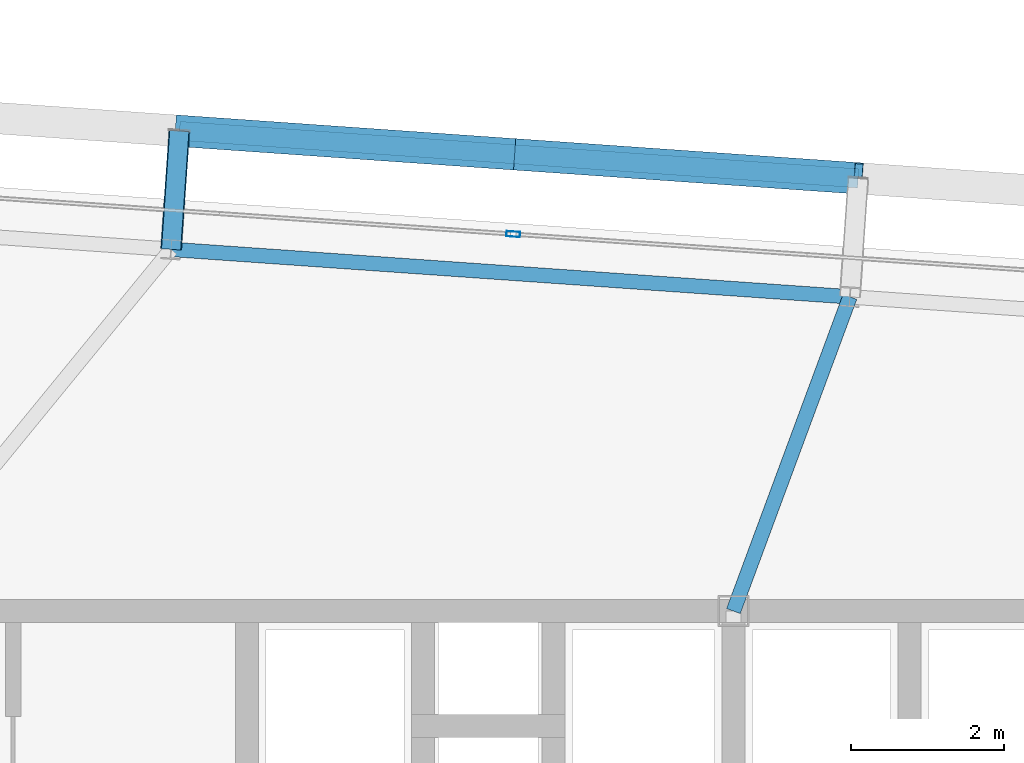
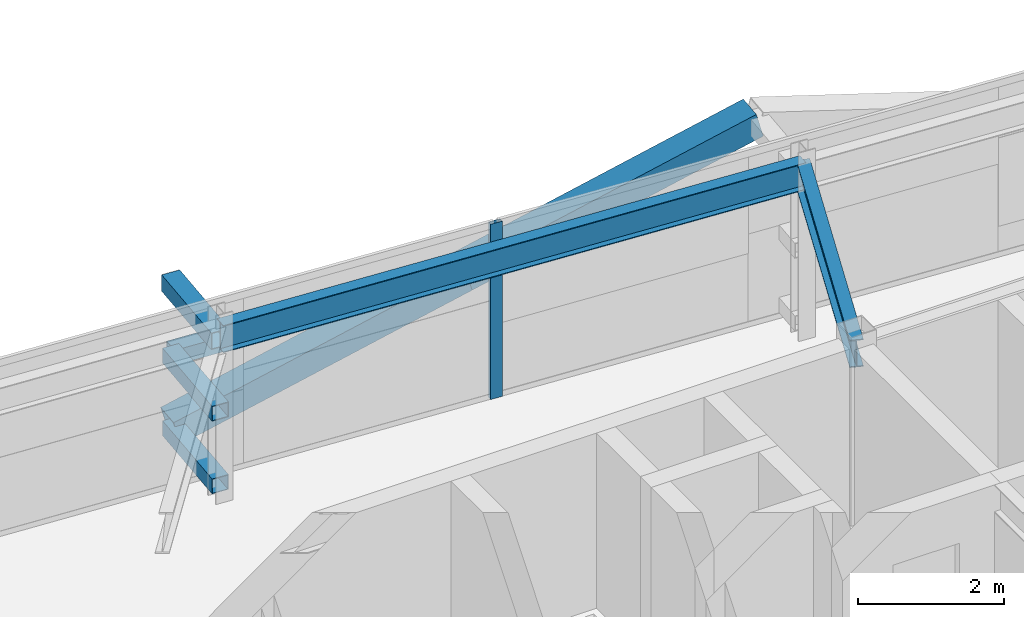
# One storey, part 22 of 39: 7 members, 2 beams, 1 element without a shape of its own.
"""IFC4 building model written with IfcOpenShell, lengths in metres."""

from ifc_helpers import new_model, si_unit, direction, frame, origin, origin_2d, place, context, subcontext, project, spatial, hollow_rectangle, i_section, extrude, source, transform, mapped, material, layer, layer_set, material_profile, profile_set, type_object, element, aggregate, save


model = new_model("IFC4")

# Units and contexts
model_context = context("Model", 3, precision=1e-05, world=origin(), true_north=direction((0.0, 1.0)))
body_context = subcontext(model_context, "Body", "Model", "MODEL_VIEW")
ifc_project = project(units=[si_unit("LENGTHUNIT", "METRE"), si_unit("AREAUNIT", "SQUARE_METRE"), si_unit("VOLUMEUNIT", "CUBIC_METRE"), si_unit("PLANEANGLEUNIT", "RADIAN"), si_unit("MASSUNIT", "GRAM", prefix="KILO")], contexts=[model_context])

# Site, building, storey
site_placement = place(None, origin())
site = spatial("IfcSite", under=ifc_project, at=site_placement, CompositionType="ELEMENT")
building_placement = place(site_placement, origin())
building = spatial("IfcBuilding", under=site, at=building_placement, Name="Taldren Reach Tower", CompositionType="ELEMENT")
storey_placement = place(building_placement, frame((0.0, 0.0, 158.199951171875)))
storey = spatial("IfcBuildingStorey", under=building, at=storey_placement, Name="L48", CompositionType="ELEMENT", Elevation=158.199951171875)

# Members
ifc_material_1 = material(Name="Steel Gr 450 (C450L0)", Category="steel")
ifc_material_profile_1 = material_profile(ifc_material_1, hollow_rectangle(XDim=0.27490234375, YDim=0.27490234375, WallThickness=0.00927734375, at=origin_2d()), Name="275x275x9.3SHS")
ifc_profile_set_1 = profile_set([ifc_material_profile_1], Name="Steel Gr 450 (C450L0)")
member_type_1 = type_object("IfcMemberType", Name="MB-TIE273", PredefinedType="STRUT", material=ifc_profile_set_1)
shared_shape_1 = source(origin(), body_context, "Body", "SweptSolid", [
    extrude(hollow_rectangle(XDim=0.27490234375, YDim=0.27490234375, WallThickness=0.00927734375, at=origin_2d()), origin(), (0.0, 0.0, 1.0), 1.5498046875),
])
member_1_placement = place(storey_placement, frame((31.861328125, 36.719970703125, 2.650146484375), z_axis=(0.069780535098, 0.997562367434, 0.0), x_axis=(-0.997562367434, 0.069780535098, 0.0)))
element("IfcMember", 1, at=member_1_placement, inside=storey, type_object=member_type_1, Name="Exoskeleton diaphragm tie strut B3-N3 L48", PredefinedType="STRUT", context=body_context, shape_type="MappedRepresentation", body=[
    mapped(shared_shape_1, transform((0.0, 0.0, 0.0), scale=1.0)),
])
ifc_material_2 = material(Name="Steel Gr 350 (C350L0)", Category="steel")
ifc_material_profile_2 = material_profile(ifc_material_2, hollow_rectangle(XDim=0.25, YDim=0.25, WallThickness=0.010009765625, at=origin_2d()), Name="250x250x10.0SHS")
ifc_profile_set_2 = profile_set([ifc_material_profile_2], Name="Steel Gr 350 (C350L0)")
member_type_2 = type_object("IfcMemberType", Name="MB-POST250", PredefinedType="POST", material=ifc_profile_set_2)
shared_shape_2 = source(origin(), body_context, "Body", "SweptSolid", [
    extrude(hollow_rectangle(XDim=0.25, YDim=0.25, WallThickness=0.010009765625, at=origin_2d()), origin(), (0.0, 0.0, 1.0), 1.5498046875),
])
for number, where, z_axis, x_axis, name in (
    (2, (31.861328125, 36.719970703125, 0.219970703125), (0.069780535098, 0.997562367434, 0.0), (-0.997562367434, 0.069780535098, 0.0), "Exoskeleton base diaphragm tie strut B3-N3 L48"),
    (3, (31.861328125, 36.719970703125, 1.43505859375), (0.069780535098, 0.997562367434, 0.0), (-0.997562367434, 0.069780535098, 0.0), "Exoskeleton mid-tier diaphragm tie B3-N3 L48"),
):
    element("IfcMember", number, at=place(storey_placement, frame(where, z_axis=z_axis, x_axis=x_axis)), inside=storey, type_object=member_type_2, Name=name, PredefinedType="POST", context=body_context, shape_type="MappedRepresentation", body=[
        mapped(shared_shape_2, transform((0.0, 0.0, 0.0), scale=1.0)),
    ])

# Beams
ifc_material_3 = material(Name="Steel Gr 350 (350PLUS)", Category="steel")
ifc_material_profile_3 = material_profile(ifc_material_3, i_section(OverallWidth=0.18994140625, OverallDepth=0.4541015625, WebThickness=0.008544921875, FlangeThickness=0.0126953125, at=origin_2d()), Name="460UB67.1")
ifc_profile_set_3 = profile_set([ifc_material_profile_3], Name="Steel Gr 350 (350PLUS)")
beam_type_1 = type_object("IfcBeamType", Name="SP-UB460B", PredefinedType="SPANDREL", material=ifc_profile_set_3)
shared_shape_3 = source(origin(), body_context, "Body", "SweptSolid", [
    extrude(i_section(OverallWidth=0.18994140625, OverallDepth=0.4541015625, WebThickness=0.008544921875, FlangeThickness=0.0126953125, at=origin_2d()), origin(), (0.0, 0.0, 1.0), 8.880126953125),
])
beam_1_placement = place(storey_placement, frame((40.7197265625, 36.100341796875, 2.703125), z_axis=(-0.997562566276, 0.06977769246, 0.0), x_axis=(-0.06977769246, -0.997562566276, 0.0)))
element("IfcBeam", 4, at=beam_1_placement, inside=storey, type_object=beam_type_1, Name="Perimeter spandrel B3 N4-N3 L48", PredefinedType="SPANDREL", context=body_context, shape_type="MappedRepresentation", body=[
    mapped(shared_shape_3, transform((0.0, 0.0, 0.0), scale=1.0)),
])
ifc_material_profile_4 = material_profile(ifc_material_3, i_section(OverallWidth=0.19091796875, OverallDepth=0.4599609375, WebThickness=0.010009765625, FlangeThickness=0.01611328125, at=origin_2d()), Name="460UB82.1")
ifc_profile_set_4 = profile_set([ifc_material_profile_4], Name="Steel Gr 350 (350PLUS)")
beam_type_2 = type_object("IfcBeamType", Name="BM-UB460A", PredefinedType="BEAM", material=ifc_profile_set_4)
shared_shape_4 = source(origin(), body_context, "Body", "SweptSolid", [
    extrude(i_section(OverallWidth=0.19091796875, OverallDepth=0.4599609375, WebThickness=0.010009765625, FlangeThickness=0.01611328125, at=origin_2d()), origin(), (0.0, 0.0, 1.0), 4.373046875),
])
beam_2_placement = place(storey_placement, frame((39.199951171875, 32.0, 2.699951171875), z_axis=(0.347541638975, 0.937664550454, 0.0), x_axis=(-0.937664550454, 0.347541638975, 0.0)))
element("IfcBeam", 5, at=beam_2_placement, inside=storey, type_object=beam_type_2, Name="Primary floor girder B3-N4 L48", PredefinedType="BEAM", context=body_context, shape_type="MappedRepresentation", body=[
    mapped(shared_shape_4, transform((0.0, 0.0, 0.0), scale=1.0)),
])

# Members
shared_shape_5 = source(origin(), body_context, "Body", "SweptSolid", [
    extrude(hollow_rectangle(XDim=0.25, YDim=0.25, WallThickness=0.010009765625, at=origin_2d()), origin(), (0.0, 0.0, 1.0), 8.880126953125),
])
member_2_placement = place(storey_placement, frame((31.969482421875, 38.26611328125, 1.43505859375), z_axis=(0.997564479639, -0.069750333063, 0.0), x_axis=(0.069750333063, 0.997564479639, 0.0)))
element("IfcMember", 6, at=member_2_placement, inside=storey, type_object=member_type_2, Name="Exoskeleton mid-height ring chord B3-N3 L48", PredefinedType="POST", context=body_context, shape_type="MappedRepresentation", body=[
    mapped(shared_shape_5, transform((0.0, 0.0, 0.0), scale=1.0)),
])
ifc_material_profile_5 = material_profile(ifc_material_1, hollow_rectangle(XDim=0.409912109375, YDim=0.409912109375, WallThickness=0.01611328125, at=origin_2d()), Name="410x410x16.0SHS")
ifc_profile_set_5 = profile_set([ifc_material_profile_5], Name="Steel Gr 450 (C450L0)")
member_type_3 = type_object("IfcMemberType", Name="MB-EXO406", PredefinedType="BRACE", material=ifc_profile_set_5)
shared_shape_6 = source(origin(), body_context, "Body", "SweptSolid", [
    extrude(hollow_rectangle(XDim=0.409912109375, YDim=0.409912109375, WallThickness=0.01611328125, at=origin_2d()), origin(), (0.0, 0.0, 1.0), 4.603271484375),
])
for number, where, z_axis, x_axis, name in (
    (7, (31.969482421875, 38.26611328125, 0.219970703125), (0.962182351074, -0.067302910567, 0.263961060594), (0.06977769246, 0.997562566276, 0.0), "Exoskeleton Diagrid Brace B3-N3 L48"),
    (8, (36.398681640625, 37.956298828125, 1.43505859375), (0.962185784239, -0.067250114343, 0.263962002434), (0.069722973508, 0.997566392259, 0.0), "Exoskeleton Diagrid Brace B3-N3 L48"),
):
    element("IfcMember", number, at=place(storey_placement, frame(where, z_axis=z_axis, x_axis=x_axis)), inside=storey, type_object=member_type_3, Name=name, PredefinedType="BRACE", context=body_context, shape_type="MappedRepresentation", body=[
        mapped(shared_shape_6, transform((0.0, 0.0, 0.0), scale=1.0)),
    ])

# Curtain wall, member
ifc_material_4 = material(Name="Aluminium and Low-E Glass Unitised System", Category="aluminium")
ifc_layer = layer(ifc_material_4, 0.159912109375)
ifc_layer_set = layer_set([ifc_layer], Name="Aluminium and Low-E Glass Unitised System")
curtain_wall_type = type_object("IfcCurtainWallType", Name="CW-SYS-4", PredefinedType="NOTDEFINED", material=ifc_layer_set)
curtain_wall_placement = place(storey_placement, origin())
curtain_wall = element("IfcCurtainWall", 9, at=curtain_wall_placement, inside=storey, type_object=curtain_wall_type, Name="Unitised curtain wall CW-L48-N", PredefinedType="NOTDEFINED")
ifc_material_5 = material(Name="Anodised Aluminium 6063-T6", Category="aluminium")
ifc_material_profile_6 = material_profile(ifc_material_5, hollow_rectangle(XDim=0.070068359375, YDim=0.179931640625, WallThickness=0.00390625, at=origin_2d()), Name="ALU-180x70x4RHS")
ifc_profile_set_6 = profile_set([ifc_material_profile_6], Name="Anodised Aluminium 6063-T6")
member_type_4 = type_object("IfcMemberType", Name="CW-MUL-180", PredefinedType="MULLION", material=ifc_profile_set_6)
shared_shape_7 = source(origin(), body_context, "Body", "SweptSolid", [
    extrude(hollow_rectangle(XDim=0.070068359375, YDim=0.179931640625, WallThickness=0.00390625, at=origin_2d()), origin(), (0.0, 0.0, 1.0), 2.929931640625),
])
member_3_placement = place(storey_placement, frame((36.326171875, 36.9189453125, 0.0), z_axis=(0.0, 0.0, 1.0), x_axis=(-0.06975651593, -0.99756404731, 0.0)))
member_3 = element("IfcMember", 10, at=member_3_placement, type_object=member_type_4, Name="CW-4 mullion 3", PredefinedType="MULLION", context=body_context, shape_type="MappedRepresentation", body=[
    mapped(shared_shape_7, transform((0.0, 0.0, 0.0), scale=1.0)),
])
aggregate(curtain_wall, [member_3])

save(model, "model.ifc")
